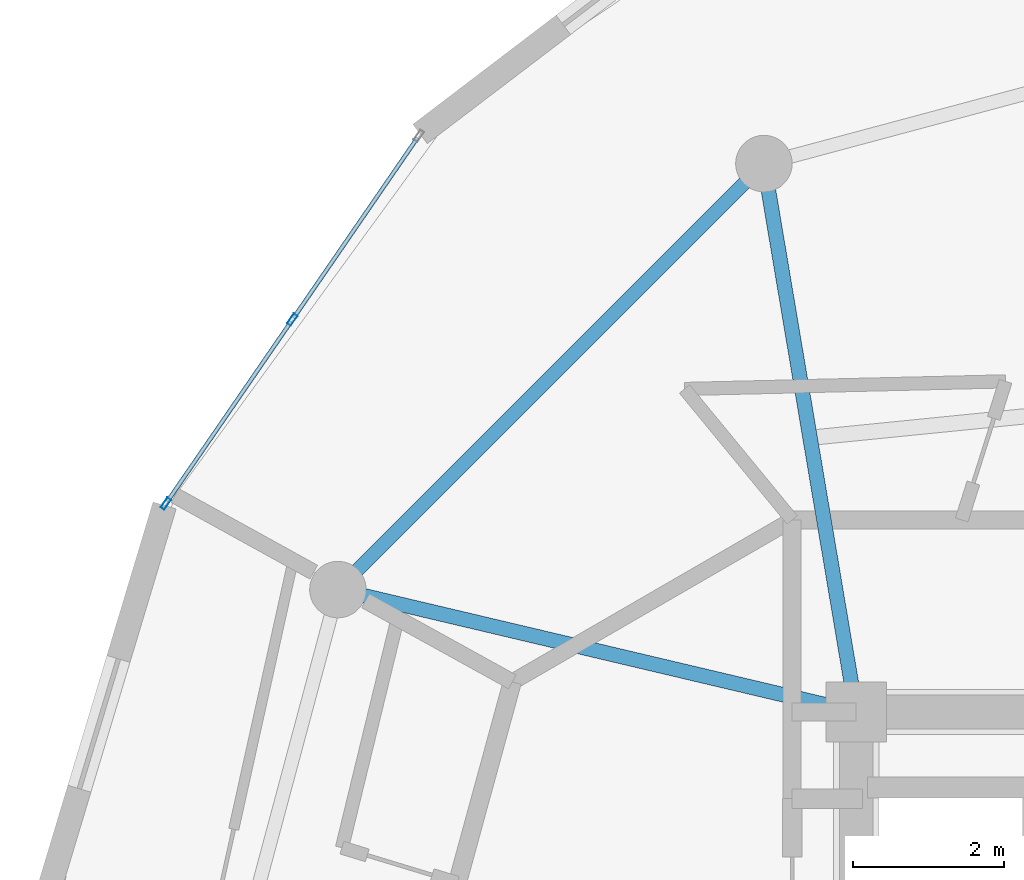
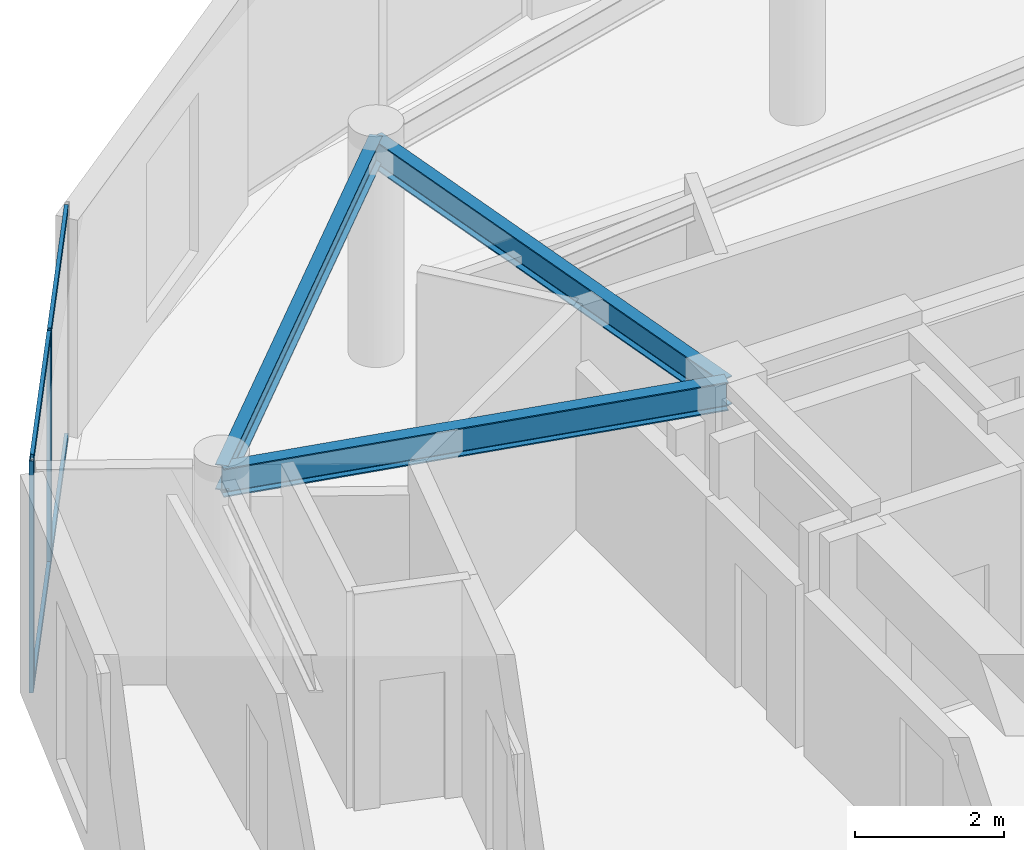
# One storey, part 6 of 18: 6 members, 3 beams, 1 element without a shape of its own.
"""IFC4 building model written with IfcOpenShell, lengths in metres."""

from ifc_helpers import new_model, si_unit, direction, frame, origin, origin_2d, place, context, subcontext, project, spatial, hollow_rectangle, i_section, extrude, source, transform, mapped, material, layer, layer_set, material_profile, profile_set, type_object, element, aggregate, save


model = new_model("IFC4")

# Units and contexts
model_context = context("Model", 3, precision=1e-05, world=origin(), true_north=direction((0.0, 1.0)))
body_context = subcontext(model_context, "Body", "Model", "MODEL_VIEW")
ifc_project = project(units=[si_unit("LENGTHUNIT", "METRE"), si_unit("AREAUNIT", "SQUARE_METRE"), si_unit("VOLUMEUNIT", "CUBIC_METRE"), si_unit("PLANEANGLEUNIT", "RADIAN"), si_unit("MASSUNIT", "GRAM", prefix="KILO")], contexts=[model_context])

# Site, building, storey
site_placement = place(None, origin())
site = spatial("IfcSite", under=ifc_project, at=site_placement, CompositionType="ELEMENT")
building_placement = place(site_placement, origin())
building = spatial("IfcBuilding", under=site, at=building_placement, Name="Solvirekh Grand Hotel", CompositionType="ELEMENT")
storey_placement = place(building_placement, frame((0.0, 0.0, 250.60009765625)))
storey = spatial("IfcBuildingStorey", under=building, at=storey_placement, Name="L65", CompositionType="ELEMENT", Elevation=250.60009765625)

# Beams
ifc_material_1 = material(Name="Steel S355", Category="steel")
ifc_material_profile_1 = material_profile(ifc_material_1, i_section(OverallWidth=0.194091796875, OverallDepth=0.468994140625, WebThickness=0.010986328125, FlangeThickness=0.01904296875, FilletRadius=0.012939453125, at=origin_2d()), Name="W460X106")
ifc_profile_set_1 = profile_set([ifc_material_profile_1], Name="Steel S355")
beam_type_1 = type_object("IfcBeamType", Name="Beam_Radial_W460H", PredefinedType="BEAM", material=ifc_profile_set_1)
beam_1_placement = place(storey_placement, frame((-6.5, 6.10009765625, 3.3349609375), z_axis=(-0.165954049106, 0.986133486697, 0.0), x_axis=(-0.986133486697, -0.165954049106, 0.0)))
element("IfcBeam", 1, at=beam_1_placement, inside=storey, type_object=beam_type_1, Name="L65 radial floor beam R05", PredefinedType="BEAM", context=body_context, shape_type="SweptSolid", body=[
    extrude(i_section(OverallWidth=0.194091796875, OverallDepth=0.468994140625, WebThickness=0.010986328125, FlangeThickness=0.01904296875, FilletRadius=0.012939453125, at=origin_2d()), origin(), (0.0, 0.0, 1.0), 7.382080078125),
])
beam_2_placement = place(storey_placement, frame((-6.5, 6.10009765625, 3.3349609375), z_axis=(-0.973221147544, 0.229870828888, 0.0), x_axis=(-0.229870828888, -0.973221147544, 0.0)))
element("IfcBeam", 2, at=beam_2_placement, inside=storey, type_object=beam_type_1, Name="L65 radial floor beam R06", PredefinedType="BEAM", context=body_context, shape_type="SweptSolid", body=[
    extrude(i_section(OverallWidth=0.194091796875, OverallDepth=0.468994140625, WebThickness=0.010986328125, FlangeThickness=0.01904296875, FilletRadius=0.012939453125, at=origin_2d()), origin(), (0.0, 0.0, 1.0), 7.069091796875),
])
ifc_material_profile_2 = material_profile(ifc_material_1, i_section(OverallWidth=0.180908203125, OverallDepth=0.4169921875, WebThickness=0.010009765625, FlangeThickness=0.01611328125, FilletRadius=0.011962890625, at=origin_2d()), Name="W410X85")
ifc_profile_set_2 = profile_set([ifc_material_profile_2], Name="Steel S355")
beam_type_2 = type_object("IfcBeamType", Name="Spandrel_Ring_W410", PredefinedType="SPANDREL", material=ifc_profile_set_2)
beam_3_placement = place(storey_placement, frame((-7.72509765625, 13.3798828125, 3.36181640625), z_axis=(-0.707106781187, -0.707106781187, 0.0), x_axis=(0.707106781187, -0.707106781187, 0.0)))
element("IfcBeam", 3, at=beam_3_placement, inside=storey, type_object=beam_type_2, Name="L65 perimeter spandrel beam 5", PredefinedType="SPANDREL", context=body_context, shape_type="SweptSolid", body=[
    extrude(i_section(OverallWidth=0.180908203125, OverallDepth=0.4169921875, WebThickness=0.010009765625, FlangeThickness=0.01611328125, FilletRadius=0.011962890625, at=origin_2d()), origin(), (0.0, 0.0, 1.0), 7.9970703125),
])

# Curtain wall, members
ifc_material_2 = material(Name="Anodized Bronze Aluminium 6063-T6", Category="aluminium")
ifc_layer = layer(ifc_material_2, 0.159912109375)
ifc_layer_set = layer_set([ifc_layer], Name="Anodized Bronze Aluminium 6063-T6")
curtain_wall_type = type_object("IfcCurtainWallType", Name="CW_Sys4_HighZoneFlushBronzeCW", PredefinedType="NOTDEFINED", material=ifc_layer_set)
curtain_wall_placement = place(storey_placement, origin())
curtain_wall = element("IfcCurtainWall", 4, at=curtain_wall_placement, inside=storey, type_object=curtain_wall_type, Name="L65 unitised bronze-glass curtain wall CW-L65-C13", PredefinedType="NOTDEFINED")
ifc_material_profile_3 = material_profile(ifc_material_2, hollow_rectangle(XDim=0.054931640625, YDim=0.1201171875, WallThickness=0.00390625, at=origin_2d()), Name="ALU RHS 120X55X4")
ifc_profile_set_3 = profile_set([ifc_material_profile_3], Name="Anodized Bronze Aluminium 6063-T6")
member_type_1 = type_object("IfcMemberType", Name="CWTransom_Sys4", PredefinedType="USERDEFINED", material=ifc_profile_set_3)
shared_shape_1 = source(origin(), body_context, "Body", "SweptSolid", [
    extrude(hollow_rectangle(XDim=0.054931640625, YDim=0.1201171875, WallThickness=0.00390625, at=origin_2d()), origin(), (0.0, 0.0, 1.0), 2.90234375),
])
member_1_placement = place(storey_placement, frame((-12.323974609375, 13.7236328125, 0.02734375), z_axis=(-0.566639491645, -0.823965828483, 0.0), x_axis=(0.823965828483, -0.566639491645, 0.0)))
member_1 = element("IfcMember", 5, at=member_1_placement, type_object=member_type_1, Name="U04 transom 1.1", ObjectType="TRANSOM", PredefinedType="USERDEFINED", context=body_context, shape_type="MappedRepresentation", body=[
    mapped(shared_shape_1, transform((0.0, 0.0, 0.0), x_axis=(1.0, 0.0, 0.0), y_axis=(0.0, 1.0, 0.0), z_axis=(0.0, 0.0, 1.0), scale=1.0)),
])
member_2_placement = place(storey_placement, frame((-12.323974609375, 13.7236328125, 3.7724609375), z_axis=(-0.566639491645, -0.823965828483, 0.0), x_axis=(0.823965828483, -0.566639491645, 0.0)))
member_2 = element("IfcMember", 6, at=member_2_placement, type_object=member_type_1, Name="U04 transom 1.2", ObjectType="TRANSOM", PredefinedType="USERDEFINED", context=body_context, shape_type="MappedRepresentation", body=[
    mapped(shared_shape_1, transform((0.0, 0.0, 0.0), x_axis=(1.0, 0.0, 0.0), y_axis=(0.0, 1.0, 0.0), z_axis=(0.0, 0.0, 1.0), scale=1.0)),
])
member_3_placement = place(storey_placement, frame((-14.00244140625, 11.28271484375, 0.02734375), z_axis=(-0.566639491645, -0.823965828483, 0.0), x_axis=(0.823965828483, -0.566639491645, 0.0)))
member_3 = element("IfcMember", 7, at=member_3_placement, type_object=member_type_1, Name="U04 transom 2.1", ObjectType="TRANSOM", PredefinedType="USERDEFINED", context=body_context, shape_type="MappedRepresentation", body=[
    mapped(shared_shape_1, transform((0.0, 0.0, 0.0), x_axis=(1.0, 0.0, 0.0), y_axis=(0.0, 1.0, 0.0), z_axis=(0.0, 0.0, 1.0), scale=1.0)),
])
member_4_placement = place(storey_placement, frame((-14.00244140625, 11.28271484375, 3.7724609375), z_axis=(-0.566639491645, -0.823965828483, 0.0), x_axis=(0.823965828483, -0.566639491645, 0.0)))
member_4 = element("IfcMember", 8, at=member_4_placement, type_object=member_type_1, Name="U04 transom 2.2", ObjectType="TRANSOM", PredefinedType="USERDEFINED", context=body_context, shape_type="MappedRepresentation", body=[
    mapped(shared_shape_1, transform((0.0, 0.0, 0.0), x_axis=(1.0, 0.0, 0.0), y_axis=(0.0, 1.0, 0.0), z_axis=(0.0, 0.0, 1.0), scale=1.0)),
])
ifc_material_profile_4 = material_profile(ifc_material_2, hollow_rectangle(XDim=0.06005859375, YDim=0.159912109375, WallThickness=0.0048828125, at=origin_2d()), Name="ALU RHS 160X60X5")
ifc_profile_set_4 = profile_set([ifc_material_profile_4], Name="Anodized Bronze Aluminium 6063-T6")
member_type_2 = type_object("IfcMemberType", Name="CWMullion_Sys4", PredefinedType="MULLION", material=ifc_profile_set_4)
shared_shape_2 = source(origin(), body_context, "Body", "SweptSolid", [
    extrude(hollow_rectangle(XDim=0.06005859375, YDim=0.159912109375, WallThickness=0.0048828125, at=origin_2d()), origin(), (0.0, 0.0, 1.0), 3.7998046875),
])
member_5_placement = place(storey_placement, frame((-13.985595703125, 11.3076171875, 0.0), z_axis=(0.0, 0.0, 1.0), x_axis=(0.823968783493, -0.566635194661, 0.0)))
member_5 = element("IfcMember", 9, at=member_5_placement, type_object=member_type_2, Name="U04 mullion 2", PredefinedType="MULLION", context=body_context, shape_type="MappedRepresentation", body=[
    mapped(shared_shape_2, transform((0.0, 0.0, 0.0), x_axis=(1.0, 0.0, 0.0), y_axis=(0.0, 1.0, 0.0), z_axis=(0.0, 0.0, 1.0), scale=1.0)),
])
member_6_placement = place(storey_placement, frame((-15.6640625, 8.86669921875, 0.0), z_axis=(0.0, 0.0, 1.0), x_axis=(0.823968783493, -0.566635194661, 0.0)))
member_6 = element("IfcMember", 10, at=member_6_placement, type_object=member_type_2, Name="U04 mullion 3", PredefinedType="MULLION", context=body_context, shape_type="MappedRepresentation", body=[
    mapped(shared_shape_2, transform((0.0, 0.0, 0.0), x_axis=(1.0, 0.0, 0.0), y_axis=(0.0, 1.0, 0.0), z_axis=(0.0, 0.0, 1.0), scale=1.0)),
])
aggregate(curtain_wall, [member_5, member_6, member_1, member_2, member_3, member_4])

save(model, "model.ifc")
